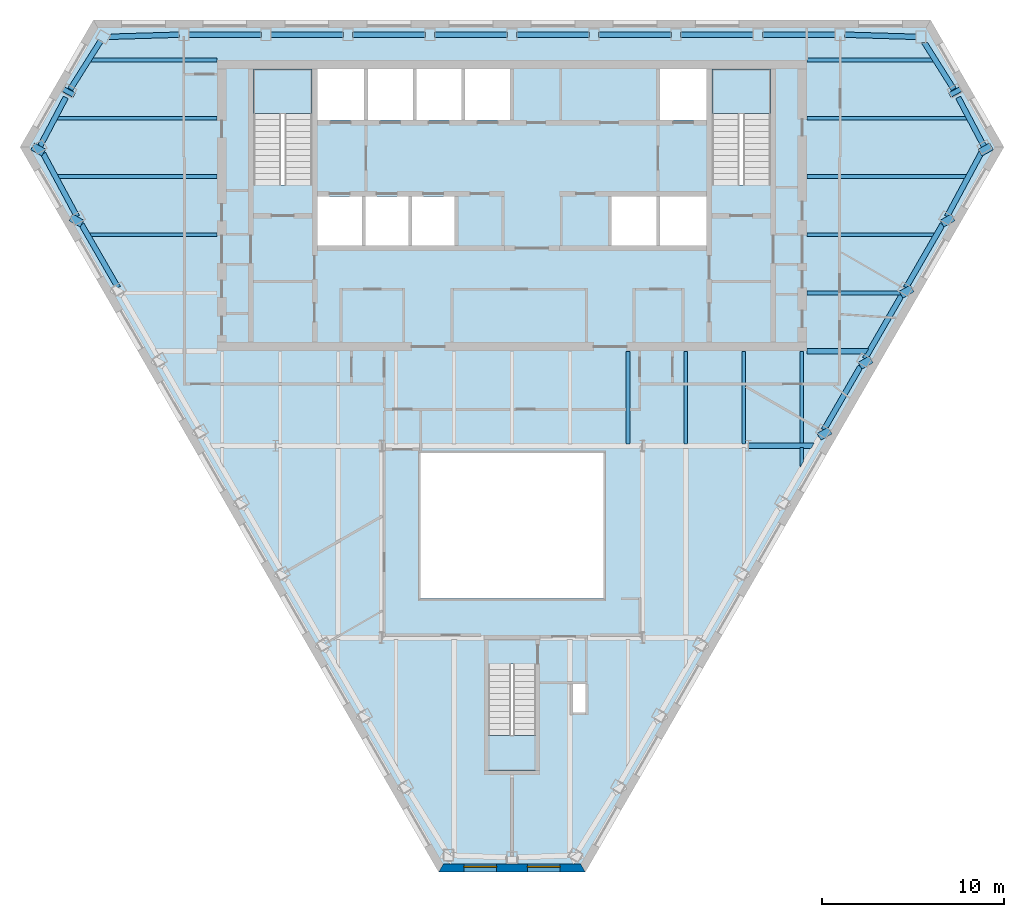
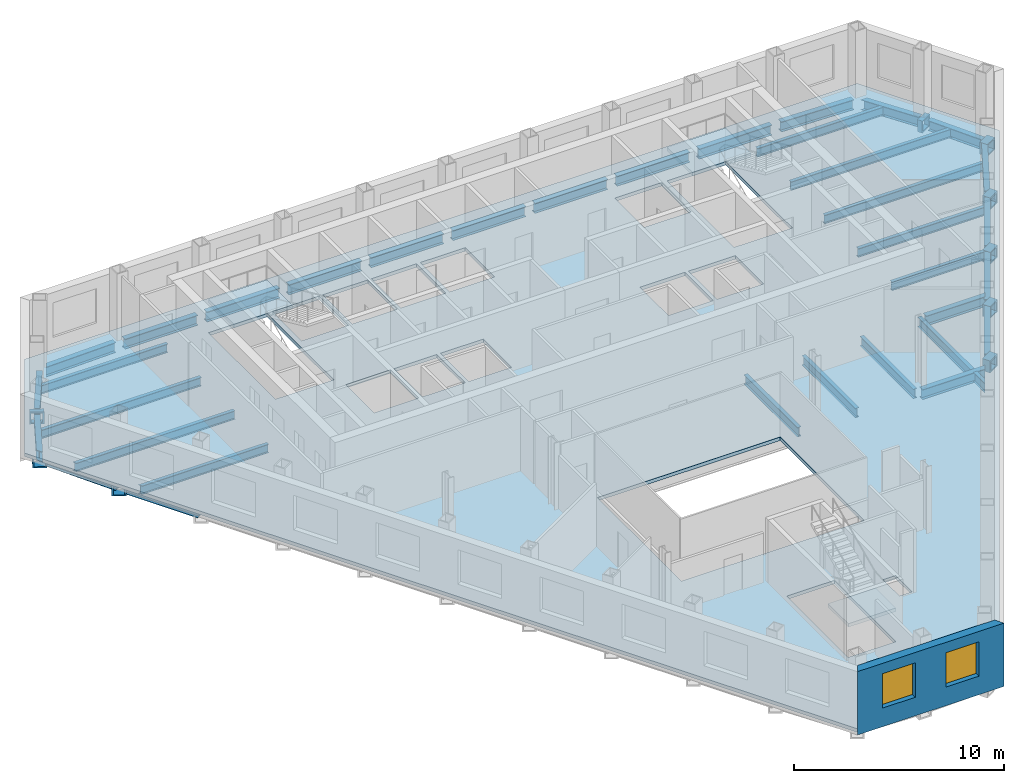
# One storey, part 3 of 11: 45 beams, 4 slabs, 2 windows, 1 wall, 2 openings, 3 elements without a shape of their own.
"""IFC4 building model written with IfcOpenShell, lengths in metres."""

from ifc_helpers import new_model, si_unit, direction, frame, frame_2d, origin, origin_2d, place, context, subcontext, project, spatial, polyline, rectangle, hollow_rectangle, i_section, outline, extrude, clip, halfspace, material, layer, layer_set, material_profile, profile_set, type_object, element, fill, aggregate, save


model = new_model("IFC4")

# Units and contexts
model_context = context("Model", 3, precision=1e-05, world=origin(), true_north=direction((0.0, 1.0)))
body_context = subcontext(model_context, "Body", "Model", "MODEL_VIEW")
ifc_project = project(units=[si_unit("LENGTHUNIT", "METRE"), si_unit("AREAUNIT", "SQUARE_METRE"), si_unit("VOLUMEUNIT", "CUBIC_METRE"), si_unit("PLANEANGLEUNIT", "RADIAN"), si_unit("MASSUNIT", "GRAM", prefix="KILO")], contexts=[model_context])

# Site, building, storey
site_placement = place(None, origin())
site = spatial("IfcSite", under=ifc_project, at=site_placement, CompositionType="ELEMENT")
building_placement = place(site_placement, origin())
building = spatial("IfcBuilding", under=site, at=building_placement, Name="Njiva Tower", CompositionType="ELEMENT")
storey_placement = place(building_placement, frame((0.0, 0.0, 174.9)))
storey = spatial("IfcBuildingStorey", under=building, at=storey_placement, Name="L38", CompositionType="ELEMENT", Elevation=174.9)

# Beams
ifc_material_1 = material(Name="Steel S355 J2", Category="steel")
ifc_material_profile_1 = material_profile(ifc_material_1, hollow_rectangle(XDim=0.7, YDim=0.7, WallThickness=0.08, at=origin_2d()), Name="BOX 700x700x80")
ifc_profile_set_1 = profile_set([ifc_material_profile_1], Name="Steel S355 J2")
beam_type_1 = type_object("IfcBeamType", Name="B19 Column jog beam BOX 700x700x80", PredefinedType="BEAM", material=ifc_profile_set_1)
beam_1_placement = place(storey_placement, frame((-24.429, 16.123, -0.55), z_axis=(0.47910835533, 0.877755765491, 0.0), x_axis=(-0.877755765491, 0.47910835533, 0.0)))
element("IfcBeam", 1, at=beam_1_placement, inside=storey, type_object=beam_type_1, Name="Column jog beam S13-B022", PredefinedType="BEAM", context=body_context, shape_type="SweptSolid", body=[
    extrude(hollow_rectangle(XDim=0.7, YDim=0.7, WallThickness=0.08, at=origin_2d()), origin(), (0.0, 0.0, 1.0), 0.2734),
])
beam_2_placement = place(storey_placement, frame((-26.137, 12.899, -0.55), z_axis=(0.48703396761, 0.873383028455, 0.0), x_axis=(-0.873383028455, 0.48703396761, 0.0)))
element("IfcBeam", 2, at=beam_2_placement, inside=storey, type_object=beam_type_1, Name="Column jog beam S13-B021", PredefinedType="BEAM", context=body_context, shape_type="SweptSolid", body=[
    extrude(hollow_rectangle(XDim=0.7, YDim=0.7, WallThickness=0.08, at=origin_2d()), origin(), (0.0, 0.0, 1.0), 0.4271),
])
beam_3_placement = place(storey_placement, frame((-24.036, 8.996, -0.55), z_axis=(0.48903286871, 0.872265357171, 0.0), x_axis=(-0.872265357171, 0.48903286871, 0.0)))
element("IfcBeam", 3, at=beam_3_placement, inside=storey, type_object=beam_type_1, Name="Column jog beam S13-B023", PredefinedType="BEAM", context=body_context, shape_type="SweptSolid", body=[
    extrude(hollow_rectangle(XDim=0.7, YDim=0.7, WallThickness=0.08, at=origin_2d()), origin(), (0.0, 0.0, 1.0), 0.4253),
])
for number, where, z_axis, x_axis, name in (
    (4, (17.276, -2.716, -0.55), (-0.497148774231, 0.867665313517, 0.0), (-0.867665313517, -0.497148774231, 0.0), "Column jog beam S13-B044"),
    (5, (19.53, 1.188, -0.55), (-0.497148774231, 0.867665313517, 0.0), (-0.867665313517, -0.497148774231, 0.0), "Column jog beam S13-B045"),
):
    element("IfcBeam", number, at=place(storey_placement, frame(where, z_axis=z_axis, x_axis=x_axis)), inside=storey, type_object=beam_type_1, Name=name, PredefinedType="BEAM", context=body_context, shape_type="SweptSolid", body=[
        extrude(hollow_rectangle(XDim=0.7, YDim=0.7, WallThickness=0.08, at=origin_2d()), origin(), (0.0, 0.0, 1.0), 0.4264),
    ])
beam_4_placement = place(storey_placement, frame((21.784, 5.092, -0.55), z_axis=(-0.49437165503, 0.869250635147, 0.0), x_axis=(-0.869250635147, -0.49437165503, 0.0)))
element("IfcBeam", 6, at=beam_4_placement, inside=storey, type_object=beam_type_1, Name="Column jog beam S13-B046", PredefinedType="BEAM", context=body_context, shape_type="SweptSolid", body=[
    extrude(hollow_rectangle(XDim=0.7, YDim=0.7, WallThickness=0.08, at=origin_2d()), origin(), (0.0, 0.0, 1.0), 0.4268),
])
beam_5_placement = place(storey_placement, frame((24.036, 8.996, -0.55), z_axis=(-0.48903286871, 0.872265357171, 0.0), x_axis=(-0.872265357171, -0.48903286871, 0.0)))
element("IfcBeam", 7, at=beam_5_placement, inside=storey, type_object=beam_type_1, Name="Column jog beam S13-B047", PredefinedType="BEAM", context=body_context, shape_type="SweptSolid", body=[
    extrude(hollow_rectangle(XDim=0.7, YDim=0.7, WallThickness=0.08, at=origin_2d()), origin(), (0.0, 0.0, 1.0), 0.4253),
])
beam_6_placement = place(storey_placement, frame((26.137, 12.899, -0.55), z_axis=(-0.48703396761, 0.873383028455, 0.0), x_axis=(-0.873383028455, -0.48703396761, 0.0)))
element("IfcBeam", 8, at=beam_6_placement, inside=storey, type_object=beam_type_1, Name="Column jog beam S13-B049", PredefinedType="BEAM", context=body_context, shape_type="SweptSolid", body=[
    extrude(hollow_rectangle(XDim=0.7, YDim=0.7, WallThickness=0.08, at=origin_2d()), origin(), (0.0, 0.0, 1.0), 0.4271),
])
beam_7_placement = place(storey_placement, frame((24.429, 16.123, -0.55), z_axis=(-0.47910835533, 0.877755765491, 0.0), x_axis=(-0.877755765491, -0.47910835533, 0.0)))
element("IfcBeam", 9, at=beam_7_placement, inside=storey, type_object=beam_type_1, Name="Column jog beam S13-B048", PredefinedType="BEAM", context=body_context, shape_type="SweptSolid", body=[
    extrude(hollow_rectangle(XDim=0.7, YDim=0.7, WallThickness=0.08, at=origin_2d()), origin(), (0.0, 0.0, 1.0), 0.2734),
])
ifc_material_profile_2 = material_profile(ifc_material_1, i_section(OverallWidth=0.2, OverallDepth=0.5, WebThickness=0.0102, FlangeThickness=0.016, at=origin_2d()), Name="IPE 500")
ifc_profile_set_2 = profile_set([ifc_material_profile_2], Name="Steel S355 J2")
beam_type_2 = type_object("IfcBeamType", Name="B24 Floor beam to the core IPE 500", PredefinedType="BEAM", material=ifc_profile_set_2)
beam_8_placement = place(storey_placement, frame((16.2, 5.2, -0.45), z_axis=(1.0, 0.0, 0.0), x_axis=(0.0, 1.0, 0.0)))
element("IfcBeam", 10, at=beam_8_placement, inside=storey, type_object=beam_type_2, Name="Floor beam to the core S13-B007", PredefinedType="BEAM", context=body_context, shape_type="Clipping", body=[
    clip(extrude(i_section(OverallWidth=0.2, OverallDepth=0.5, WebThickness=0.0102, FlangeThickness=0.016, at=origin_2d()), origin(), (0.0, 0.0, 1.0), 5.318), halfspace(frame((-0.025, 0.0, 5.2255), z_axis=(-0.499998009787, 0.0, 0.866026552831), x_axis=(0.0, 1.0, 0.0)), False)),
])
beam_9_placement = place(storey_placement, frame((-23.291, 8.4, -0.45), z_axis=(1.0, 0.0, 0.0), x_axis=(0.0, 1.0, 0.0)))
element("IfcBeam", 11, at=beam_9_placement, inside=storey, type_object=beam_type_2, Name="Floor beam to the core S13-B003", PredefinedType="BEAM", context=body_context, shape_type="Clipping", body=[
    clip(extrude(i_section(OverallWidth=0.2, OverallDepth=0.5, WebThickness=0.0102, FlangeThickness=0.016, at=origin_2d()), origin(), (0.0, 0.0, 1.0), 7.091), halfspace(frame((-0.025, 0.0, 0.0924), z_axis=(-0.499998009787, 0.0, -0.866026552831), x_axis=(0.0, -1.0, 0.0)), False)),
])
beam_10_placement = place(storey_placement, frame((16.2, 8.4, -0.45), z_axis=(1.0, 0.0, 0.0), x_axis=(0.0, 1.0, 0.0)))
element("IfcBeam", 12, at=beam_10_placement, inside=storey, type_object=beam_type_2, Name="Floor beam to the core S13-B009", PredefinedType="BEAM", context=body_context, shape_type="Clipping", body=[
    clip(extrude(i_section(OverallWidth=0.2, OverallDepth=0.5, WebThickness=0.0102, FlangeThickness=0.016, at=origin_2d()), origin(), (0.0, 0.0, 1.0), 7.091), halfspace(frame((-0.025, 0.0, 6.9986), z_axis=(-0.499998009787, 0.0, 0.866026552831), x_axis=(0.0, 1.0, 0.0)), False)),
])
beam_11_placement = place(storey_placement, frame((-25.047, 11.6, -0.45), z_axis=(1.0, 0.0, 0.0), x_axis=(0.0, 1.0, 0.0)))
element("IfcBeam", 13, at=beam_11_placement, inside=storey, type_object=beam_type_2, Name="Floor beam to the core S13-B002", PredefinedType="BEAM", context=body_context, shape_type="Clipping", body=[
    clip(extrude(i_section(OverallWidth=0.2, OverallDepth=0.5, WebThickness=0.0102, FlangeThickness=0.016, at=origin_2d()), origin(), (0.0, 0.0, 1.0), 8.847), halfspace(frame((-0.0237, 0.0, 0.0872), z_axis=(-0.473777178452, 0.0, -0.88064475538), x_axis=(0.0, -1.0, 0.0)), False)),
])
beam_12_placement = place(storey_placement, frame((16.2, 11.6, -0.45), z_axis=(1.0, 0.0, 0.0), x_axis=(0.0, 1.0, 0.0)))
element("IfcBeam", 14, at=beam_12_placement, inside=storey, type_object=beam_type_2, Name="Floor beam to the core S13-B010", PredefinedType="BEAM", context=body_context, shape_type="Clipping", body=[
    clip(extrude(i_section(OverallWidth=0.2, OverallDepth=0.5, WebThickness=0.0102, FlangeThickness=0.016, at=origin_2d()), origin(), (0.0, 0.0, 1.0), 8.847), halfspace(frame((-0.0237, 0.0, 8.7598), z_axis=(-0.473777178452, 0.0, 0.88064475538), x_axis=(0.0, 1.0, 0.0)), False)),
])
beam_13_placement = place(storey_placement, frame((-25.084, 14.8, -0.45), z_axis=(1.0, 0.0, 0.0), x_axis=(0.0, 1.0, 0.0)))
element("IfcBeam", 15, at=beam_13_placement, inside=storey, type_object=beam_type_2, Name="Floor beam to the core S13-B001", PredefinedType="BEAM", context=body_context, shape_type="Clipping", body=[
    clip(extrude(i_section(OverallWidth=0.2, OverallDepth=0.5, WebThickness=0.0102, FlangeThickness=0.016, at=origin_2d()), origin(), (0.0, 0.0, 1.0), 8.884), halfspace(frame((0.0233, 0.0, 0.0855), z_axis=(0.466638905243, 0.0, -0.884447925043), x_axis=(0.0, -1.0, 0.0)), False)),
])
beam_14_placement = place(storey_placement, frame((16.2, 14.8, -0.45), z_axis=(1.0, 0.0, 0.0), x_axis=(0.0, 1.0, 0.0)))
element("IfcBeam", 16, at=beam_14_placement, inside=storey, type_object=beam_type_2, Name="Floor beam to the core S13-B011", PredefinedType="BEAM", context=body_context, shape_type="Clipping", body=[
    clip(extrude(i_section(OverallWidth=0.2, OverallDepth=0.5, WebThickness=0.0102, FlangeThickness=0.016, at=origin_2d()), origin(), (0.0, 0.0, 1.0), 8.884), halfspace(frame((0.0233, 0.0, 8.7985), z_axis=(0.466638905243, 0.0, 0.884447925043), x_axis=(0.0, 1.0, 0.0)), False)),
])
beam_15_placement = place(storey_placement, frame((-23.228, 18.0, -0.45), z_axis=(1.0, 0.0, 0.0), x_axis=(0.0, 1.0, 0.0)))
element("IfcBeam", 17, at=beam_15_placement, inside=storey, type_object=beam_type_2, Name="Floor beam to the core S13-B004", PredefinedType="BEAM", context=body_context, shape_type="Clipping", body=[
    clip(extrude(i_section(OverallWidth=0.2, OverallDepth=0.5, WebThickness=0.0102, FlangeThickness=0.016, at=origin_2d()), origin(), (0.0, 0.0, 1.0), 7.028), halfspace(frame((0.0266, 0.0, 0.0994), z_axis=(0.532629190564, 0.0, -0.846348713805), x_axis=(0.0, -1.0, 0.0)), False)),
])
beam_16_placement = place(storey_placement, frame((16.2, 18.0, -0.45), z_axis=(1.0, 0.0, 0.0), x_axis=(0.0, 1.0, 0.0)))
element("IfcBeam", 18, at=beam_16_placement, inside=storey, type_object=beam_type_2, Name="Floor beam to the core S13-B012", PredefinedType="BEAM", context=body_context, shape_type="Clipping", body=[
    clip(extrude(i_section(OverallWidth=0.2, OverallDepth=0.5, WebThickness=0.0102, FlangeThickness=0.016, at=origin_2d()), origin(), (0.0, 0.0, 1.0), 7.028), halfspace(frame((0.0266, 0.0, 6.9286), z_axis=(0.532629190564, 0.0, 0.846348713805), x_axis=(0.0, 1.0, 0.0)), False)),
])
ifc_material_profile_3 = material_profile(ifc_material_1, i_section(OverallWidth=0.3, OverallDepth=0.59, WebThickness=0.013, FlangeThickness=0.025, at=origin_2d()), Name="HEA 600")
ifc_profile_set_3 = profile_set([ifc_material_profile_3], Name="Steel S355 J2")
beam_type_3 = type_object("IfcBeamType", Name="B27 Short-span spandrel beam HEA 600", PredefinedType="SPANDREL", material=ifc_profile_set_3)
beam_17_placement = place(storey_placement, frame((22.207, 19.275, -0.495), z_axis=(-0.999547932975, 0.030065423424, 0.0), x_axis=(-0.030065423424, -0.999547932975, 0.0)))
element("IfcBeam", 19, at=beam_17_placement, inside=storey, type_object=beam_type_3, Name="Short-span spandrel beam S13-B141", PredefinedType="SPANDREL", context=body_context, shape_type="SweptSolid", body=[
    extrude(i_section(OverallWidth=0.3, OverallDepth=0.59, WebThickness=0.013, FlangeThickness=0.025, at=origin_2d()), origin(), (0.0, 0.0, 1.0), 3.9248),
])
beam_18_placement = place(storey_placement, frame((17.78, 19.4, -0.495), z_axis=(-1.0, 0.0, 0.0), x_axis=(0.0, -1.0, 0.0)))
element("IfcBeam", 20, at=beam_18_placement, inside=storey, type_object=beam_type_3, Name="Short-span spandrel beam S13-B135", PredefinedType="SPANDREL", context=body_context, shape_type="SweptSolid", body=[
    extrude(i_section(OverallWidth=0.3, OverallDepth=0.59, WebThickness=0.013, FlangeThickness=0.025, at=origin_2d()), origin(), (0.0, 0.0, 1.0), 4.007),
])
beam_19_placement = place(storey_placement, frame((13.273, 19.4, -0.495), z_axis=(-1.0, 0.0, 0.0), x_axis=(0.0, -1.0, 0.0)))
element("IfcBeam", 21, at=beam_19_placement, inside=storey, type_object=beam_type_3, Name="Short-span spandrel beam S13-B129", PredefinedType="SPANDREL", context=body_context, shape_type="SweptSolid", body=[
    extrude(i_section(OverallWidth=0.3, OverallDepth=0.59, WebThickness=0.013, FlangeThickness=0.025, at=origin_2d()), origin(), (0.0, 0.0, 1.0), 4.008),
])
beam_20_placement = place(storey_placement, frame((8.765, 19.4, -0.495), z_axis=(-1.0, 0.0, 0.0), x_axis=(0.0, -1.0, 0.0)))
element("IfcBeam", 22, at=beam_20_placement, inside=storey, type_object=beam_type_3, Name="Short-span spandrel beam S13-B124", PredefinedType="SPANDREL", context=body_context, shape_type="SweptSolid", body=[
    extrude(i_section(OverallWidth=0.3, OverallDepth=0.59, WebThickness=0.013, FlangeThickness=0.025, at=origin_2d()), origin(), (0.0, 0.0, 1.0), 4.007),
])
for number, where, z_axis, x_axis, name in (
    (23, (4.258, 19.4, -0.495), (-1.0, 0.0, 0.0), (0.0, -1.0, 0.0), "Short-span spandrel beam S13-B121"),
    (24, (-0.25, 19.4, -0.495), (-1.0, 0.0, 0.0), (0.0, -1.0, 0.0), "Short-span spandrel beam S13-B116"),
):
    element("IfcBeam", number, at=place(storey_placement, frame(where, z_axis=z_axis, x_axis=x_axis)), inside=storey, type_object=beam_type_3, Name=name, PredefinedType="SPANDREL", context=body_context, shape_type="SweptSolid", body=[
        extrude(i_section(OverallWidth=0.3, OverallDepth=0.59, WebThickness=0.013, FlangeThickness=0.025, at=origin_2d()), origin(), (0.0, 0.0, 1.0), 4.008),
    ])
beam_21_placement = place(storey_placement, frame((-4.758, 19.4, -0.495), z_axis=(-1.0, 0.0, 0.0), x_axis=(0.0, -1.0, 0.0)))
element("IfcBeam", 25, at=beam_21_placement, inside=storey, type_object=beam_type_3, Name="Short-span spandrel beam S13-B111", PredefinedType="SPANDREL", context=body_context, shape_type="SweptSolid", body=[
    extrude(i_section(OverallWidth=0.3, OverallDepth=0.59, WebThickness=0.013, FlangeThickness=0.025, at=origin_2d()), origin(), (0.0, 0.0, 1.0), 4.007),
])
beam_22_placement = place(storey_placement, frame((-9.265, 19.4, -0.495), z_axis=(-1.0, 0.0, 0.0), x_axis=(0.0, -1.0, 0.0)))
element("IfcBeam", 26, at=beam_22_placement, inside=storey, type_object=beam_type_3, Name="Short-span spandrel beam S13-B106", PredefinedType="SPANDREL", context=body_context, shape_type="SweptSolid", body=[
    extrude(i_section(OverallWidth=0.3, OverallDepth=0.59, WebThickness=0.013, FlangeThickness=0.025, at=origin_2d()), origin(), (0.0, 0.0, 1.0), 4.008),
])
beam_23_placement = place(storey_placement, frame((-13.773, 19.4, -0.495), z_axis=(-1.0, 0.0, 0.0), x_axis=(0.0, -1.0, 0.0)))
element("IfcBeam", 27, at=beam_23_placement, inside=storey, type_object=beam_type_3, Name="Short-span spandrel beam S13-B100", PredefinedType="SPANDREL", context=body_context, shape_type="SweptSolid", body=[
    extrude(i_section(OverallWidth=0.3, OverallDepth=0.59, WebThickness=0.013, FlangeThickness=0.025, at=origin_2d()), origin(), (0.0, 0.0, 1.0), 4.007),
])
beam_24_placement = place(storey_placement, frame((-18.284, 19.393, -0.495), z_axis=(-0.999548107162, -0.030059631884, 0.0), x_axis=(0.030059631884, -0.999548107162, 0.0)))
element("IfcBeam", 28, at=beam_24_placement, inside=storey, type_object=beam_type_3, Name="Short-span spandrel beam S13-B094", PredefinedType="SPANDREL", context=body_context, shape_type="Clipping", body=[
    clip(extrude(i_section(OverallWidth=0.3, OverallDepth=0.59, WebThickness=0.013, FlangeThickness=0.025, at=origin_2d()), origin(), (0.0, 0.0, 1.0), 3.9387), halfspace(frame((-0.0259, 0.0, 3.8099), z_axis=(-0.525804503647, 0.0, 0.850605445518), x_axis=(0.0, 1.0, 0.0)), False)),
])
beam_25_placement = place(storey_placement, frame((-22.601, 19.053, -0.495), z_axis=(-0.532745661304, -0.846275404559, 0.0), x_axis=(0.846275404559, -0.532745661304, 0.0)))
element("IfcBeam", 29, at=beam_25_placement, inside=storey, type_object=beam_type_3, Name="Short-span spandrel beam S13-B089", PredefinedType="SPANDREL", context=body_context, shape_type="SweptSolid", body=[
    extrude(i_section(OverallWidth=0.3, OverallDepth=0.59, WebThickness=0.013, FlangeThickness=0.025, at=origin_2d()), origin(), (0.0, 0.0, 1.0), 3.1385),
])
beam_26_placement = place(storey_placement, frame((-24.517, 15.949, -0.495), z_axis=(-0.466815716648, -0.884354615915, 0.0), x_axis=(0.884354615915, -0.466815716648, 0.0)))
element("IfcBeam", 30, at=beam_26_placement, inside=storey, type_object=beam_type_3, Name="Short-span spandrel beam S13-B085", PredefinedType="SPANDREL", context=body_context, shape_type="Clipping", body=[
    clip(extrude(i_section(OverallWidth=0.3, OverallDepth=0.59, WebThickness=0.013, FlangeThickness=0.025, at=origin_2d()), origin(), (0.0, 0.0, 1.0), 3.158), halfspace(frame((-0.0266, 0.0, 3.0275), z_axis=(-0.532467650241, 0.0, 0.846450353799), x_axis=(0.0, 1.0, 0.0)), False)),
])
beam_27_placement = place(storey_placement, frame((-25.763, 12.857, -0.495), z_axis=(0.473902399483, -0.880577376364, 0.0), x_axis=(0.880577376364, 0.473902399483, 0.0)))
element("IfcBeam", 31, at=beam_27_placement, inside=storey, type_object=beam_type_3, Name="Short-span spandrel beam S13-B088", PredefinedType="SPANDREL", context=body_context, shape_type="SweptSolid", body=[
    extrude(i_section(OverallWidth=0.3, OverallDepth=0.59, WebThickness=0.013, FlangeThickness=0.025, at=origin_2d()), origin(), (0.0, 0.0, 1.0), 3.927),
])
beam_28_placement = place(storey_placement, frame((-23.654, 8.963, -0.495), z_axis=(0.500111279225, -0.865961147161, 0.0), x_axis=(0.865961147161, 0.500111279225, 0.0)))
element("IfcBeam", 32, at=beam_28_placement, inside=storey, type_object=beam_type_3, Name="Short-span spandrel beam S13-B092", PredefinedType="SPANDREL", context=body_context, shape_type="SweptSolid", body=[
    extrude(i_section(OverallWidth=0.3, OverallDepth=0.59, WebThickness=0.013, FlangeThickness=0.025, at=origin_2d()), origin(), (0.0, 0.0, 1.0), 4.0071),
])
for number, where, z_axis, x_axis, name in (
    (33, (17.142, -2.315, -0.495), (0.500003221507, 0.866023543838, 0.0), (-0.866023543838, 0.500003221507, 0.0), "Short-span spandrel beam S13-B139"),
    (34, (19.396, 1.589, -0.495), (0.500003221507, 0.866023543838, 0.0), (-0.866023543838, 0.500003221507, 0.0), "Short-span spandrel beam S13-B143"),
):
    element("IfcBeam", number, at=place(storey_placement, frame(where, z_axis=z_axis, x_axis=x_axis)), inside=storey, type_object=beam_type_3, Name=name, PredefinedType="SPANDREL", context=body_context, shape_type="SweptSolid", body=[
        extrude(i_section(OverallWidth=0.3, OverallDepth=0.59, WebThickness=0.013, FlangeThickness=0.025, at=origin_2d()), origin(), (0.0, 0.0, 1.0), 4.008),
    ])
beam_29_placement = place(storey_placement, frame((21.65, 5.493, -0.495), z_axis=(0.500111279225, 0.865961147161, 0.0), x_axis=(-0.865961147161, 0.500111279225, 0.0)))
element("IfcBeam", 35, at=beam_29_placement, inside=storey, type_object=beam_type_3, Name="Short-span spandrel beam S13-B145", PredefinedType="SPANDREL", context=body_context, shape_type="SweptSolid", body=[
    extrude(i_section(OverallWidth=0.3, OverallDepth=0.59, WebThickness=0.013, FlangeThickness=0.025, at=origin_2d()), origin(), (0.0, 0.0, 1.0), 4.0071),
])
beam_30_placement = place(storey_placement, frame((23.902, 9.399, -0.495), z_axis=(0.473740285309, 0.880664602488, 0.0), x_axis=(-0.880664602488, 0.473740285309, 0.0)))
element("IfcBeam", 36, at=beam_30_placement, inside=storey, type_object=beam_type_3, Name="Short-span spandrel beam S13-B149", PredefinedType="SPANDREL", context=body_context, shape_type="Clipping", body=[
    clip(extrude(i_section(OverallWidth=0.3, OverallDepth=0.59, WebThickness=0.013, FlangeThickness=0.025, at=origin_2d()), origin(), (0.0, 0.0, 1.0), 4.0941), halfspace(frame((-0.0264, 0.0, 3.9649), z_axis=(-0.525809730083, 0.0, 0.850602214757), x_axis=(0.0, 1.0, 0.0)), False)),
])
beam_31_placement = place(storey_placement, frame((25.958, 13.22, -0.495), z_axis=(-0.46693461008, 0.88429184657, 0.0), x_axis=(-0.88429184657, -0.46693461008, 0.0)))
element("IfcBeam", 37, at=beam_31_placement, inside=storey, type_object=beam_type_3, Name="Short-span spandrel beam S13-B152", PredefinedType="SPANDREL", context=body_context, shape_type="SweptSolid", body=[
    extrude(i_section(OverallWidth=0.3, OverallDepth=0.59, WebThickness=0.013, FlangeThickness=0.025, at=origin_2d()), origin(), (0.0, 0.0, 1.0), 3.0861),
])
beam_32_placement = place(storey_placement, frame((24.273, 16.397, -0.495), z_axis=(-0.532778335578, 0.846254834632, 0.0), x_axis=(-0.846254834632, -0.532778335578, 0.0)))
element("IfcBeam", 38, at=beam_32_placement, inside=storey, type_object=beam_type_3, Name="Short-span spandrel beam S13-B148", PredefinedType="SPANDREL", context=body_context, shape_type="Clipping", body=[
    clip(extrude(i_section(OverallWidth=0.3, OverallDepth=0.59, WebThickness=0.013, FlangeThickness=0.025, at=origin_2d()), origin(), (0.0, 0.0, 1.0), 3.1509), halfspace(frame((-0.0267, 0.0, 3.0201), z_axis=(-0.532778335578, 0.0, 0.846254834632), x_axis=(0.0, 1.0, 0.0)), False)),
])
ifc_material_profile_4 = material_profile(ifc_material_1, i_section(OverallWidth=0.3, OverallDepth=0.59, WebThickness=0.013, FlangeThickness=0.025, at=origin_2d()), Name="HEA 600")
ifc_profile_set_4 = profile_set([ifc_material_profile_4], Name="Steel S355 J2")
beam_type_4 = type_object("IfcBeamType", Name="B29 Short-span floor girder HEA 600", PredefinedType="BEAM", material=ifc_profile_set_4)
beam_33_placement = place(storey_placement, frame((13.0, -3.2, -0.495), z_axis=(1.0, 0.0, 0.0), x_axis=(0.0, 1.0, 0.0)))
element("IfcBeam", 39, at=beam_33_placement, inside=storey, type_object=beam_type_4, Name="Short-span floor girder S13-B019", PredefinedType="BEAM", context=body_context, shape_type="Clipping", body=[
    clip(extrude(i_section(OverallWidth=0.3, OverallDepth=0.59, WebThickness=0.013, FlangeThickness=0.025, at=origin_2d()), origin(), (0.0, 0.0, 1.0), 3.623), halfspace(frame((-0.025, 0.0, 3.5013), z_axis=(-0.499998009787, 0.0, 0.866026552831), x_axis=(0.0, 1.0, 0.0)), False)),
])
beam_34_placement = place(storey_placement, frame((16.2, 2.0, -0.495), z_axis=(1.0, 0.0, 0.0), x_axis=(0.0, 1.0, 0.0)))
element("IfcBeam", 40, at=beam_34_placement, inside=storey, type_object=beam_type_4, Name="Short-span floor girder S13-B020", PredefinedType="BEAM", context=body_context, shape_type="Clipping", body=[
    clip(extrude(i_section(OverallWidth=0.3, OverallDepth=0.59, WebThickness=0.013, FlangeThickness=0.025, at=origin_2d()), origin(), (0.0, 0.0, 1.0), 3.425), halfspace(frame((-0.025, 0.0, 3.3036), z_axis=(-0.499998009787, 0.0, 0.866026552831), x_axis=(0.0, 1.0, 0.0)), False)),
])
ifc_material_profile_5 = material_profile(ifc_material_1, i_section(OverallWidth=0.21, OverallDepth=0.55, WebThickness=0.0111, FlangeThickness=0.0172, at=origin_2d()), Name="IPE 550")
ifc_profile_set_5 = profile_set([ifc_material_profile_5], Name="Steel S355 J2")
beam_type_5 = type_object("IfcBeamType", Name="B31 Short-span floor joist IPE 550", PredefinedType="JOIST", material=ifc_profile_set_5)
beam_35_placement = place(storey_placement, frame((15.917, -3.3, -0.475), z_axis=(0.0, -1.0, 0.0), x_axis=(1.0, 0.0, 0.0)))
element("IfcBeam", 41, at=beam_35_placement, inside=storey, type_object=beam_type_5, Name="Short-span floor joist S13-B077", PredefinedType="JOIST", context=body_context, shape_type="Clipping", body=[
    clip(extrude(i_section(OverallWidth=0.21, OverallDepth=0.55, WebThickness=0.0111, FlangeThickness=0.0172, at=origin_2d()), origin(), (0.0, 0.0, 1.0), 1.14), halfspace(frame((0.043, 0.0, 0.8627), z_axis=(0.866026552831, 0.0, 0.499998009787), x_axis=(0.0, 1.0, 0.0)), False)),
])
ifc_material_profile_6 = material_profile(ifc_material_1, i_section(OverallWidth=0.21, OverallDepth=0.55, WebThickness=0.0111, FlangeThickness=0.0172, at=origin_2d()), Name="IPE 550")
ifc_profile_set_6 = profile_set([ifc_material_profile_6], Name="Steel S355 J2")
beam_type_6 = type_object("IfcBeamType", Name="B32 Floor joist IPE 550", PredefinedType="JOIST", material=ifc_profile_set_6)
beam_36_placement = place(storey_placement, frame((6.367, 1.995, -0.475), z_axis=(0.0, -1.0, 0.0), x_axis=(1.0, 0.0, 0.0)))
element("IfcBeam", 42, at=beam_36_placement, inside=storey, type_object=beam_type_6, Name="Floor joist S13-B070", PredefinedType="JOIST", context=body_context, shape_type="SweptSolid", body=[
    extrude(i_section(OverallWidth=0.21, OverallDepth=0.55, WebThickness=0.0111, FlangeThickness=0.0172, at=origin_2d()), origin(), (0.0, 0.0, 1.0), 5.094),
])
for number, where, z_axis, x_axis, name in (
    (43, (9.55, 1.995, -0.475), (0.0, -1.0, 0.0), (1.0, 0.0, 0.0), "Floor joist S13-B073"),
    (44, (12.733, 1.995, -0.475), (0.0, -1.0, 0.0), (1.0, 0.0, 0.0), "Floor joist S13-B076"),
    (45, (15.917, 1.995, -0.475), (0.0, -1.0, 0.0), (1.0, 0.0, 0.0), "Floor joist S13-B078"),
):
    element("IfcBeam", number, at=place(storey_placement, frame(where, z_axis=z_axis, x_axis=x_axis)), inside=storey, type_object=beam_type_6, Name=name, PredefinedType="JOIST", context=body_context, shape_type="SweptSolid", body=[
        extrude(i_section(OverallWidth=0.21, OverallDepth=0.55, WebThickness=0.0111, FlangeThickness=0.0172, at=origin_2d()), origin(), (0.0, 0.0, 1.0), 5.095),
    ])

# Stair, slab
ifc_material_2 = material(Name="Concrete C40/50", Category="concrete")
stair_type_1 = type_object("IfcStairType", Name="ST4 Exit stair 1500", PredefinedType="HALF_TURN_STAIR", material=ifc_material_2)
stair_1_placement = place(storey_placement, origin())
stair_1 = element("IfcStair", 46, at=stair_1_placement, inside=storey, type_object=stair_type_1, Name="Stair A", PredefinedType="HALF_TURN_STAIR")
ifc_layer_1 = layer(ifc_material_2, 0.2)
ifc_layer_set_1 = layer_set([ifc_layer_1], Name="Concrete C40/50")
slab_type_1 = type_object("IfcSlabType", Name="FL9 Stair landing 200", PredefinedType="LANDING", material=ifc_layer_set_1)
slab_1_placement = place(storey_placement, frame((0.0, 0.0, 1.75)))
slab_1 = element("IfcSlab", 47, at=slab_1_placement, type_object=slab_type_1, Name="ST-A landing 1", PredefinedType="LANDING", context=body_context, shape_type="SweptSolid", body=[
    extrude(outline(polyline([(-14.206, 15.06), (-10.994, 15.06), (-10.994, 17.5), (-14.206, 17.5), (-14.206, 15.06)])), origin(), (0.0, 0.0, 1.0), 0.2),
])
aggregate(stair_1, [slab_1])

stair_2_placement = place(storey_placement, origin())
stair_2 = element("IfcStair", 48, at=stair_2_placement, inside=storey, type_object=stair_type_1, Name="Stair B", PredefinedType="HALF_TURN_STAIR")
slab_2_placement = place(storey_placement, frame((0.0, 0.0, 1.75)))
slab_2 = element("IfcSlab", 49, at=slab_2_placement, type_object=slab_type_1, Name="ST-B landing 1", PredefinedType="LANDING", context=body_context, shape_type="SweptSolid", body=[
    extrude(outline(polyline([(10.994, 15.06), (14.206, 15.06), (14.206, 17.5), (10.994, 17.5), (10.994, 15.06)])), origin(), (0.0, 0.0, 1.0), 0.2),
])
aggregate(stair_2, [slab_2])

stair_type_2 = type_object("IfcStairType", Name="ST1 Exit stair 1250", PredefinedType="HALF_TURN_STAIR", material=ifc_material_2)
stair_3_placement = place(storey_placement, origin())
stair_3 = element("IfcStair", 50, at=stair_3_placement, inside=storey, type_object=stair_type_2, Name="Stair C", PredefinedType="HALF_TURN_STAIR")
slab_3_placement = place(storey_placement, frame((0.0, 0.0, 1.75)))
slab_3 = element("IfcSlab", 51, at=slab_3_placement, type_object=slab_type_1, Name="ST-C landing 1", PredefinedType="LANDING", context=body_context, shape_type="SweptSolid", body=[
    extrude(outline(polyline([(-1.306, -21.05), (1.306, -21.05), (1.306, -19.12), (-1.306, -19.12), (-1.306, -21.05)])), origin(), (0.0, 0.0, 1.0), 0.2),
])
aggregate(stair_3, [slab_3])

# Slab
ifc_material_3 = material(Name="Concrete C30/37", Category="concrete")
ifc_layer_2 = layer(ifc_material_3, 0.2)
ifc_layer_set_2 = layer_set([ifc_layer_2], Name="Concrete C30/37")
slab_type_2 = type_object("IfcSlabType", Name="SL16 Composite floor slab 200", PredefinedType="FLOOR", material=ifc_layer_set_2)
slab_4_placement = place(storey_placement, frame((0.0, 0.0, -0.2)))
element("IfcSlab", 52, at=slab_4_placement, inside=storey, type_object=slab_type_2, Name="Floor slab L38", PredefinedType="FLOOR", context=body_context, shape_type="SweptSolid", body=[
    extrude(outline(polyline([(26.7752, 13.2198), (3.9001, -26.401), (-3.9001, -26.401), (-26.7752, 13.2198), (-22.8751, 19.975), (22.8751, 19.975), (26.7752, 13.2198)]), holes=[polyline([(10.994, 11.13), (14.206, 11.13), (14.206, 17.5), (10.994, 17.5), (10.994, 11.13)]), polyline([(8.125, 14.7), (10.7, 14.7), (10.7, 17.5), (8.125, 17.5), (8.125, 14.7)]), polyline([(8.1333, 7.8), (10.7, 7.8), (10.7, 10.5), (8.1333, 10.5), (8.1333, 7.8)]), polyline([(5.4667, 7.8), (7.9333, 7.8), (7.9333, 10.5), (5.4667, 10.5), (5.4667, 7.8)]), polyline([(5.02, -11.6), (5.02, -3.6), (-5.02, -3.6), (-5.02, -11.6), (5.02, -11.6)]), polyline([(3.35, -17.85), (4.05, -17.85), (4.05, -16.3), (3.35, -16.3), (3.35, -17.85)]), polyline([(-1.306, -21.05), (1.306, -21.05), (1.306, -15.19), (-1.306, -15.19), (-1.306, -21.05)]), polyline([(-2.575, 14.7), (-0.1, 14.7), (-0.1, 17.5), (-2.575, 17.5), (-2.575, 14.7)]), polyline([(-5.25, 14.7), (-2.775, 14.7), (-2.775, 17.5), (-5.25, 17.5), (-5.25, 14.7)]), polyline([(-5.5, 7.8), (-3.15, 7.8), (-3.15, 10.5), (-5.5, 10.5), (-5.5, 7.8)]), polyline([(-7.925, 14.7), (-5.45, 14.7), (-5.45, 17.5), (-7.925, 17.5), (-7.925, 14.7)]), polyline([(-8.05, 7.8), (-5.7, 7.8), (-5.7, 10.5), (-8.05, 10.5), (-8.05, 7.8)]), polyline([(-10.7, 14.7), (-8.125, 14.7), (-8.125, 17.5), (-10.7, 17.5), (-10.7, 14.7)]), polyline([(-8.25, 7.8), (-8.25, 10.5), (-10.7, 10.5), (-10.7, 7.8), (-8.25, 7.8)]), polyline([(-14.206, 11.13), (-10.994, 11.13), (-10.994, 17.5), (-14.206, 17.5), (-14.206, 11.13)])]), origin(), (0.0, 0.0, 1.0), 0.2),
])

# Wall, openings, windows
ifc_material_4 = material(Name="Brick masonry, buff", Category="masonry")
ifc_layer_3 = layer(ifc_material_4, 0.45)
ifc_layer_set_3 = layer_set([ifc_layer_3], Name="Brick masonry, buff")
wall_type = type_object("IfcWallType", Name="WT94 Brick pier and spandrel wall 450, buff", PredefinedType="SOLIDWALL", material=ifc_layer_set_3)
wall_placement = place(storey_placement, frame((-3.9001, -26.401, -0.18), z_axis=(0.0, 0.0, 1.0), x_axis=(1.0, 0.0, 0.0)))
wall = element("IfcWall", 53, at=wall_placement, inside=storey, type_object=wall_type, Name="Facade wall S", PredefinedType="SOLIDWALL", context=body_context, shape_type="SweptSolid", body=[
    extrude(outline(polyline([(-0.1299, -0.225), (7.9301, -0.225), (7.6703, 0.225), (0.1299, 0.225), (-0.1299, -0.225)])), origin(), (0.0, 0.0, 1.0), 3.68),
])
opening_1_placement = place(wall_placement, frame((1.2544, 0.0, 1.08)))
opening_1 = element("IfcOpeningElement", 54, at=opening_1_placement, cuts=wall, Name="Opening S13-W22", PredefinedType="OPENING", context=body_context, shape_type="SweptSolid", body=[
    extrude(rectangle(XDim=1.8, YDim=2.0, at=frame_2d((0.9, 1.0))), frame((0.0, 0.235, 0.0), z_axis=(0.0, -1.0, 0.0), x_axis=(1.0, 0.0, 0.0)), (0.0, 0.0, 1.0), 0.47),
])
opening_2_placement = place(wall_placement, frame((4.7457, 0.0, 1.08)))
opening_2 = element("IfcOpeningElement", 55, at=opening_2_placement, cuts=wall, Name="Opening S13-W23", PredefinedType="OPENING", context=body_context, shape_type="SweptSolid", body=[
    extrude(rectangle(XDim=1.8, YDim=2.0, at=frame_2d((0.9, 1.0))), frame((0.0, 0.235, 0.0), z_axis=(0.0, -1.0, 0.0), x_axis=(1.0, 0.0, 0.0)), (0.0, 0.0, 1.0), 0.47),
])
ifc_material_5 = material(Name="Clear glazing in aluminium frame", Category="aluminium")
window_type = type_object("IfcWindowType", Name="W94 Deep-set window 1800x2000", PartitioningType="SINGLE_PANEL", PredefinedType="WINDOW", material=ifc_material_5)
window_1_placement = place(opening_1_placement, origin())
window_1 = element("IfcWindow", 56, at=window_1_placement, inside=storey, type_object=window_type, Name="Window", OverallHeight=2.0, OverallWidth=1.8, PartitioningType="SINGLE_PANEL", PredefinedType="WINDOW", context=body_context, shape_type="SweptSolid", body=[
    extrude(rectangle(XDim=1.8, YDim=2.0, at=frame_2d((0.9, 1.0))), frame((0.0, 0.105, 0.0), z_axis=(0.0, -1.0, 0.0), x_axis=(1.0, 0.0, 0.0)), (0.0, 0.0, 1.0), 0.06),
])
fill(opening_1, window_1)
window_2_placement = place(opening_2_placement, origin())
window_2 = element("IfcWindow", 57, at=window_2_placement, inside=storey, type_object=window_type, Name="Window", OverallHeight=2.0, OverallWidth=1.8, PartitioningType="SINGLE_PANEL", PredefinedType="WINDOW", context=body_context, shape_type="SweptSolid", body=[
    extrude(rectangle(XDim=1.8, YDim=2.0, at=frame_2d((0.9, 1.0))), frame((0.0, 0.105, 0.0), z_axis=(0.0, -1.0, 0.0), x_axis=(1.0, 0.0, 0.0)), (0.0, 0.0, 1.0), 0.06),
])
fill(opening_2, window_2)

save(model, "model.ifc")
